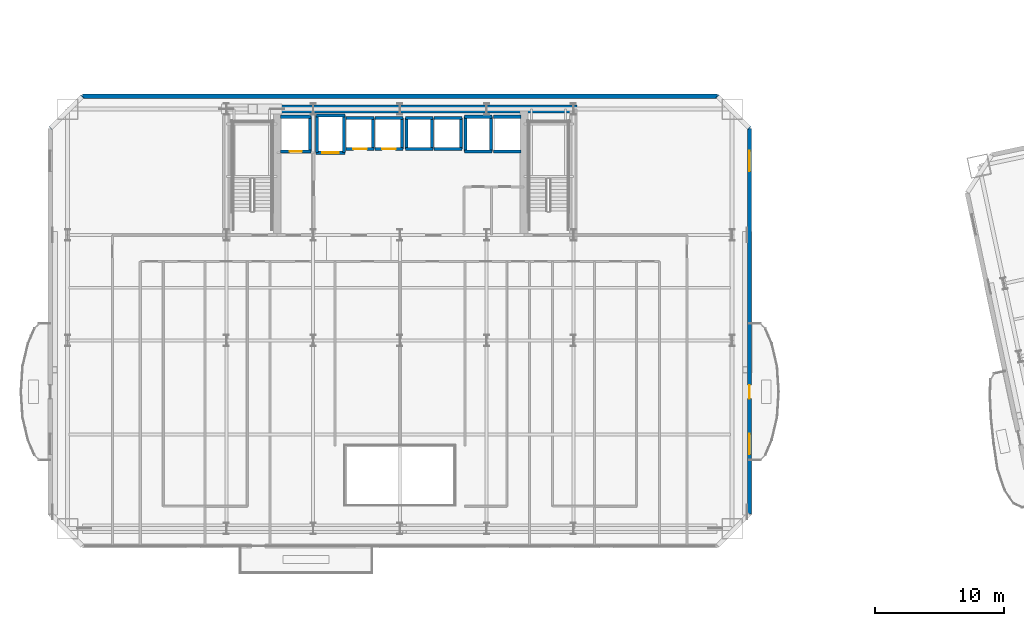
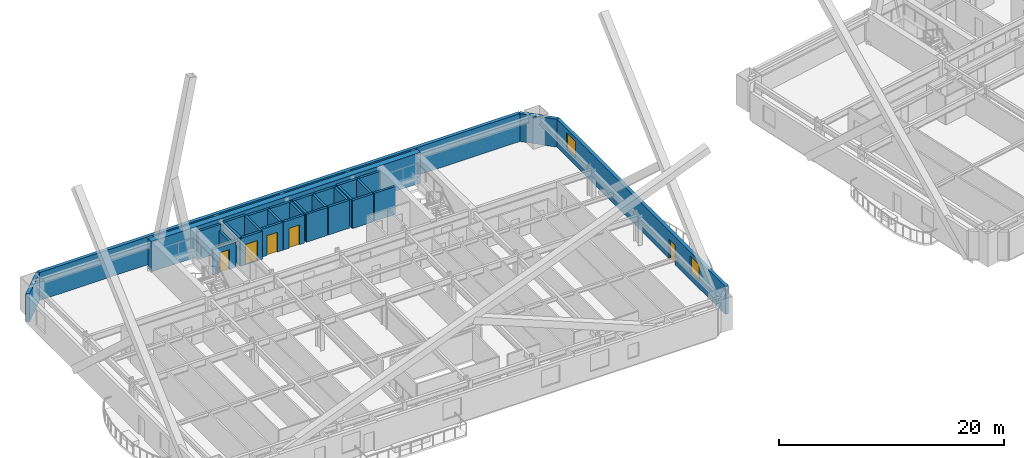
# One storey, part 9 of 20: 31 walls, 5 doors, 2 windows, 7 openings.
"""IFC4 building model written with IfcOpenShell, lengths in metres."""

from ifc_helpers import new_model, si_unit, direction, frame, frame_2d, origin, place, context, subcontext, project, spatial, rectangle, extrude, material, layer, layer_set, type_object, element, fill, save


model = new_model("IFC4")

# Units and contexts
model_context = context("Model", 3, precision=1e-05, world=origin(), true_north=direction((0.0, 1.0)))
body_context = subcontext(model_context, "Body", "Model", "MODEL_VIEW")
ifc_project = project(units=[si_unit("LENGTHUNIT", "METRE"), si_unit("AREAUNIT", "SQUARE_METRE"), si_unit("VOLUMEUNIT", "CUBIC_METRE"), si_unit("PLANEANGLEUNIT", "RADIAN"), si_unit("MASSUNIT", "GRAM", prefix="KILO")], contexts=[model_context])

# Site, building, storey
site_placement = place(None, origin())
site = spatial("IfcSite", under=ifc_project, at=site_placement, CompositionType="ELEMENT")
building_placement = place(site_placement, origin())
building = spatial("IfcBuilding", under=site, at=building_placement, Name="Haevon Station Towers", CompositionType="ELEMENT")
storey_placement = place(building_placement, frame((0.0, 0.0, 30.60009765625)))
storey = spatial("IfcBuildingStorey", under=building, at=storey_placement, Name="L06", CompositionType="ELEMENT", Elevation=30.60009765625)

# Walls
ifc_material_1 = material(Name="Concrete C60/75", Category="concrete")
ifc_layer_1 = layer(ifc_material_1, 0.60009765625)
ifc_layer_set_1 = layer_set([ifc_layer_1], Name="Concrete C60/75")
wall_type_1 = type_object("IfcWallType", Name="WL-CR600", PredefinedType="SHEAR", material=ifc_layer_set_1)
wall_1_placement = place(storey_placement, frame((23.699951171875, 48.0, 0.0), z_axis=(0.0, 0.0, 1.0), x_axis=(1.0, 0.0, 0.0)))
element("IfcWall", 1, at=wall_1_placement, inside=storey, type_object=wall_type_1, Name="WL-T1CR-L06-N", PredefinedType="SHEAR", context=body_context, shape_type="SweptSolid", body=[
    extrude(rectangle(XDim=27.60009765625, YDim=0.60009765625, at=frame_2d((13.800048828125, 0.0))), origin(), (0.0, 0.0, 1.0), 3.2998046875),
])
ifc_material_2 = material(Name="Precast concrete C45/55", Category="concrete")
ifc_layer_2 = layer(ifc_material_2, 0.340087890625)
ifc_layer_set_2 = layer_set([ifc_layer_2], Name="Precast concrete C45/55")
wall_type_2 = type_object("IfcWallType", Name="WL-EXT-PIER340", PredefinedType="SOLIDWALL", material=ifc_layer_set_2)
wall_2_placement = place(storey_placement, frame((10.300048828125, 46.5, 0.0), z_axis=(0.0, 0.0, 1.0), x_axis=(0.707106781187, 0.707106781187, 0.0)))
element("IfcWall", 2, at=wall_2_placement, inside=storey, type_object=wall_type_2, Name="WL-T1-L06-NWC", PredefinedType="SOLIDWALL", context=body_context, shape_type="SweptSolid", body=[
    extrude(rectangle(XDim=3.53564453125, YDim=0.340087890625, at=frame_2d((1.767822265625, 0.0))), origin(), (0.0, 0.0, 1.0), 3.02978515625),
])
wall_3_placement = place(storey_placement, frame((12.800048828125, 49.0, 0.0), z_axis=(0.0, 0.0, 1.0), x_axis=(1.0, 0.0, 0.0)))
element("IfcWall", 3, at=wall_3_placement, inside=storey, type_object=wall_type_2, Name="WL-T1-L06-N", PredefinedType="SOLIDWALL", context=body_context, shape_type="SweptSolid", body=[
    extrude(rectangle(XDim=49.39990234375, YDim=0.340087890625, at=frame_2d((24.699951171875, 0.0))), origin(), (0.0, 0.0, 1.0), 3.02978515625),
])
wall_4_placement = place(storey_placement, frame((62.199951171875, 49.0, 0.0), z_axis=(0.0, 0.0, 1.0), x_axis=(0.707106781187, -0.707106781187, 0.0)))
element("IfcWall", 4, at=wall_4_placement, inside=storey, type_object=wall_type_2, Name="WL-T1-L06-NEC", PredefinedType="SOLIDWALL", context=body_context, shape_type="SweptSolid", body=[
    extrude(rectangle(XDim=3.53564453125, YDim=0.340087890625, at=frame_2d((1.767822265625, 0.0))), origin(), (0.0, 0.0, 1.0), 3.02978515625),
])

# Wall, openings, door, windows
wall_5_placement = place(storey_placement, frame((64.699951171875, 46.5, 0.0), z_axis=(0.0, 0.0, 1.0), x_axis=(0.0, -1.0, 0.0)))
wall_5 = element("IfcWall", 5, at=wall_5_placement, inside=storey, type_object=wall_type_2, Name="WL-T1-L06-E", PredefinedType="SOLIDWALL", context=body_context, shape_type="SweptSolid", body=[
    extrude(rectangle(XDim=30.0, YDim=0.340087890625, at=frame_2d((15.0, 0.0))), origin(), (0.0, 0.0, 1.0), 3.02978515625),
])
opening_1_placement = place(wall_5_placement, frame((19.97509765625, 0.0, 0.0)))
opening_1 = element("IfcOpeningElement", 6, at=opening_1_placement, cuts=wall_5, Name="Opening DR-T1-SCAL-L06-E", PredefinedType="OPENING", context=body_context, shape_type="SweptSolid", body=[
    extrude(rectangle(XDim=1.050048828125, YDim=2.10009765625, at=frame_2d((0.52490234375, 1.050048828125))), frame((0.0, 0.179931640625, 0.0), z_axis=(0.0, -1.0, 0.0), x_axis=(1.0, 0.0, 0.0)), (0.0, 0.0, 1.0), 0.360107421875),
])
opening_2_placement = place(wall_5_placement, frame((1.757080078125, 0.0, 0.800048828125)))
opening_2 = element("IfcOpeningElement", 7, at=opening_2_placement, cuts=wall_5, Name="Opening WN-END160", PredefinedType="OPENING", context=body_context, shape_type="SweptSolid", body=[
    extrude(rectangle(XDim=1.60009765625, YDim=1.800048828125, at=frame_2d((0.800048828125, 0.89990234375))), frame((0.0, 0.179931640625, 0.0), z_axis=(0.0, -1.0, 0.0), x_axis=(1.0, 0.0, 0.0)), (0.0, 0.0, 1.0), 0.360107421875),
])
opening_3_placement = place(wall_5_placement, frame((23.771484375, 0.0, 0.800048828125)))
opening_3 = element("IfcOpeningElement", 8, at=opening_3_placement, cuts=wall_5, Name="Opening WN-END160", PredefinedType="OPENING", context=body_context, shape_type="SweptSolid", body=[
    extrude(rectangle(XDim=1.60009765625, YDim=1.800048828125, at=frame_2d((0.800048828125, 0.89990234375))), frame((0.0, 0.179931640625, 0.0), z_axis=(0.0, -1.0, 0.0), x_axis=(1.0, 0.0, 0.0)), (0.0, 0.0, 1.0), 0.360107421875),
])
ifc_material_3 = material(Name="Thermally broken anodised aluminium and laminated safety glass", Category="aluminium")
door_type_1 = type_object("IfcDoorType", Name="DR-BALC-1050", OperationType="NOTDEFINED", PredefinedType="DOOR", material=ifc_material_3)
door_1_placement = place(opening_1_placement, origin())
door_1 = element("IfcDoor", 9, at=door_1_placement, inside=storey, type_object=door_type_1, Name="Tower 1 L06 East Scalloped Balcony Door", OperationType="SINGLE_SWING_LEFT", OverallHeight=2.10009765625, OverallWidth=1.050048828125, PredefinedType="DOOR", context=body_context, shape_type="SweptSolid", body=[
    extrude(rectangle(XDim=1.050048828125, YDim=2.10009765625, at=frame_2d((0.52490234375, 1.050048828125))), frame((0.0, 0.02490234375, 0.0), z_axis=(0.0, -1.0, 0.0), x_axis=(1.0, 0.0, 0.0)), (0.0, 0.0, 1.0), 0.050048828125),
])
fill(opening_1, door_1)
ifc_material_4 = material(Name="Low-E triple glazing in thermally broken aluminium", Category="aluminium")
window_type = type_object("IfcWindowType", Name="WN-END160", PartitioningType="SINGLE_PANEL", PredefinedType="WINDOW", material=ifc_material_4)
window_1_placement = place(opening_2_placement, origin())
window_1 = element("IfcWindow", 10, at=window_1_placement, inside=storey, type_object=window_type, Name="WN-T1-L06-E01", OverallHeight=1.800048828125, OverallWidth=1.60009765625, PartitioningType="SINGLE_PANEL", PredefinedType="WINDOW", context=body_context, shape_type="SweptSolid", body=[
    extrude(rectangle(XDim=1.60009765625, YDim=1.800048828125, at=frame_2d((0.800048828125, 0.89990234375))), frame((0.0, 0.030029296875, 0.0), z_axis=(0.0, -1.0, 0.0), x_axis=(1.0, 0.0, 0.0)), (0.0, 0.0, 1.0), 0.06005859375),
])
fill(opening_2, window_1)
window_2_placement = place(opening_3_placement, origin())
window_2 = element("IfcWindow", 11, at=window_2_placement, inside=storey, type_object=window_type, Name="WN-T1-L06-E02", OverallHeight=1.800048828125, OverallWidth=1.60009765625, PartitioningType="SINGLE_PANEL", PredefinedType="WINDOW", context=body_context, shape_type="SweptSolid", body=[
    extrude(rectangle(XDim=1.60009765625, YDim=1.800048828125, at=frame_2d((0.800048828125, 0.89990234375))), frame((0.0, 0.030029296875, 0.0), z_axis=(0.0, -1.0, 0.0), x_axis=(1.0, 0.0, 0.0)), (0.0, 0.0, 1.0), 0.06005859375),
])
fill(opening_3, window_2)

# Wall, opening, door
ifc_material_5 = material(Name="Concrete C40/50", Category="concrete")
ifc_layer_3 = layer(ifc_material_5, 0.239990234375)
ifc_layer_set_3 = layer_set([ifc_layer_3], Name="Concrete C40/50")
wall_type_3 = type_object("IfcWallType", Name="WL-SHF240", PredefinedType="PARTITIONING", material=ifc_layer_set_3)
wall_6_placement = place(storey_placement, frame((28.219970703125, 44.699951171875, 0.0), z_axis=(0.0, 0.0, 1.0), x_axis=(1.0, 0.0, 0.0)))
wall_6 = element("IfcWall", 12, at=wall_6_placement, inside=storey, type_object=wall_type_3, Name="WL-SHF-FL1-L06", PredefinedType="PARTITIONING", context=body_context, shape_type="SweptSolid", body=[
    extrude(rectangle(XDim=2.360107421875, YDim=0.239990234375, at=frame_2d((1.18017578125, 0.0))), origin(), (0.0, 0.0, 1.0), 2.72998046875),
])
opening_4_placement = place(wall_6_placement, frame((0.705078125, 0.0, 0.0)))
opening_4 = element("IfcOpeningElement", 13, at=opening_4_placement, cuts=wall_6, Name="Opening LD-FL1-L06", PredefinedType="OPENING", context=body_context, shape_type="SweptSolid", body=[
    extrude(rectangle(XDim=0.949951171875, YDim=2.14990234375, at=frame_2d((0.47509765625, 1.074951171875))), frame((0.0, 0.1298828125, 0.0), z_axis=(0.0, -1.0, 0.0), x_axis=(1.0, 0.0, 0.0)), (0.0, 0.0, 1.0), 0.260009765625),
])
ifc_material_6 = material(Name="Stainless steel and rated core", Category="steel")
door_type_2 = type_object("IfcDoorType", Name="LD-FL950", OperationType="SLIDING_TO_LEFT", PredefinedType="DOOR", material=ifc_material_6)
door_2_placement = place(opening_4_placement, origin())
door_2 = element("IfcDoor", 14, at=door_2_placement, inside=storey, type_object=door_type_2, Name="L06 Lift FL1 Sliding Landing Door", OperationType="SLIDING_TO_LEFT", OverallHeight=2.14990234375, OverallWidth=0.949951171875, PredefinedType="DOOR", context=body_context, shape_type="SweptSolid", body=[
    extrude(rectangle(XDim=0.949951171875, YDim=2.14990234375, at=frame_2d((0.47509765625, 1.074951171875))), frame((0.0, 0.02490234375, 0.0), z_axis=(0.0, -1.0, 0.0), x_axis=(1.0, 0.0, 0.0)), (0.0, 0.0, 1.0), 0.050048828125),
])
fill(opening_4, door_2)

# Walls
wall_7_placement = place(storey_placement, frame((28.219970703125, 47.39990234375, 0.0), z_axis=(0.0, 0.0, 1.0), x_axis=(1.0, 0.0, 0.0)))
element("IfcWall", 15, at=wall_7_placement, inside=storey, type_object=wall_type_3, Name="WL-SHF-FL1-L06-N", PredefinedType="PARTITIONING", context=body_context, shape_type="SweptSolid", body=[
    extrude(rectangle(XDim=2.360107421875, YDim=0.239990234375, at=frame_2d((1.18017578125, 0.0))), origin(), (0.0, 0.0, 1.0), 3.02978515625),
])
wall_8_placement = place(storey_placement, frame((30.5, 44.699951171875, 0.0), z_axis=(0.0, 0.0, 1.0), x_axis=(0.0, 1.0, 0.0)))
element("IfcWall", 16, at=wall_8_placement, inside=storey, type_object=wall_type_3, Name="WL-SHF-FL1-L06-E", PredefinedType="PARTITIONING", context=body_context, shape_type="SweptSolid", body=[
    extrude(rectangle(XDim=2.699951171875, YDim=0.239990234375, at=frame_2d((1.35009765625, 0.0))), origin(), (0.0, 0.0, 1.0), 2.329833984375),
])

# Wall, opening, door
wall_9_placement = place(storey_placement, frame((30.969970703125, 44.60009765625, 0.0), z_axis=(0.0, 0.0, 1.0), x_axis=(1.0, 0.0, 0.0)))
wall_9 = element("IfcWall", 17, at=wall_9_placement, inside=storey, type_object=wall_type_3, Name="WL-SHF-SL1-L06", PredefinedType="PARTITIONING", context=body_context, shape_type="SweptSolid", body=[
    extrude(rectangle(XDim=2.260009765625, YDim=0.239990234375, at=frame_2d((1.1298828125, 0.0))), origin(), (0.0, 0.0, 1.0), 3.02978515625),
])
opening_5_placement = place(wall_9_placement, frame((0.5048828125, 0.0, 0.0)))
opening_5 = element("IfcOpeningElement", 18, at=opening_5_placement, cuts=wall_9, Name="Opening LD-SL1-L06", PredefinedType="OPENING", context=body_context, shape_type="SweptSolid", body=[
    extrude(rectangle(XDim=1.25, YDim=2.199951171875, at=frame_2d((0.625, 1.10009765625))), frame((0.0, 0.1298828125, 0.0), z_axis=(0.0, -1.0, 0.0), x_axis=(1.0, 0.0, 0.0)), (0.0, 0.0, 1.0), 0.260009765625),
])
door_type_3 = type_object("IfcDoorType", Name="LD-SL1250", OperationType="SLIDING_TO_LEFT", PredefinedType="DOOR", material=ifc_material_6)
door_3_placement = place(opening_5_placement, origin())
door_3 = element("IfcDoor", 19, at=door_3_placement, inside=storey, type_object=door_type_3, Name="L06 Lift SL1 Sliding Landing Door", OperationType="SLIDING_TO_LEFT", OverallHeight=2.199951171875, OverallWidth=1.25, PredefinedType="DOOR", context=body_context, shape_type="SweptSolid", body=[
    extrude(rectangle(XDim=1.25, YDim=2.199951171875, at=frame_2d((0.625, 1.10009765625))), frame((0.0, 0.02490234375, 0.0), z_axis=(0.0, -1.0, 0.0), x_axis=(1.0, 0.0, 0.0)), (0.0, 0.0, 1.0), 0.050048828125),
])
fill(opening_5, door_3)

# Walls
wall_10_placement = place(storey_placement, frame((30.969970703125, 47.5, 0.0), z_axis=(0.0, 0.0, 1.0), x_axis=(1.0, 0.0, 0.0)))
element("IfcWall", 20, at=wall_10_placement, inside=storey, type_object=wall_type_3, Name="WL-SHF-SL1-L06-N", PredefinedType="PARTITIONING", context=body_context, shape_type="SweptSolid", body=[
    extrude(rectangle(XDim=2.260009765625, YDim=0.239990234375, at=frame_2d((1.1298828125, 0.0))), origin(), (0.0, 0.0, 1.0), 3.02978515625),
])
for number, where, z_axis, x_axis, name in (
    (21, (31.050048828125, 44.60009765625, 0.0), (0.0, 0.0, 1.0), (0.0, 1.0, 0.0), "WL-SHF-SL1-L06-W"),
    (22, (33.14990234375, 44.60009765625, 0.0), (0.0, 0.0, 1.0), (0.0, 1.0, 0.0), "WL-SHF-SL1-L06-E"),
):
    element("IfcWall", number, at=place(storey_placement, frame(where, z_axis=z_axis, x_axis=x_axis)), inside=storey, type_object=wall_type_3, Name=name, PredefinedType="PARTITIONING", context=body_context, shape_type="SweptSolid", body=[
        extrude(rectangle(XDim=2.89990234375, YDim=0.239990234375, at=frame_2d((1.449951171875, 0.0))), origin(), (0.0, 0.0, 1.0), 3.02978515625),
    ])

# Wall, opening, door
wall_11_placement = place(storey_placement, frame((33.320068359375, 44.89990234375, 0.0), z_axis=(0.0, 0.0, 1.0), x_axis=(1.0, 0.0, 0.0)))
wall_11 = element("IfcWall", 23, at=wall_11_placement, inside=storey, type_object=wall_type_3, Name="WL-SHF-PL1-L06", PredefinedType="PARTITIONING", context=body_context, shape_type="SweptSolid", body=[
    extrude(rectangle(XDim=2.159912109375, YDim=0.239990234375, at=frame_2d((1.080078125, 0.0))), origin(), (0.0, 0.0, 1.0), 3.02978515625),
])
opening_6_placement = place(wall_11_placement, frame((0.554931640625, 0.0, 0.0)))
opening_6 = element("IfcOpeningElement", 24, at=opening_6_placement, cuts=wall_11, Name="Opening LD-PL1-L06", PredefinedType="OPENING", context=body_context, shape_type="SweptSolid", body=[
    extrude(rectangle(XDim=1.050048828125, YDim=2.14990234375, at=frame_2d((0.52490234375, 1.074951171875))), frame((0.0, 0.1298828125, 0.0), z_axis=(0.0, -1.0, 0.0), x_axis=(1.0, 0.0, 0.0)), (0.0, 0.0, 1.0), 0.260009765625),
])
door_type_4 = type_object("IfcDoorType", Name="LD-PL1050", OperationType="SLIDING_TO_LEFT", PredefinedType="DOOR", material=ifc_material_6)
door_4_placement = place(opening_6_placement, origin())
door_4 = element("IfcDoor", 25, at=door_4_placement, inside=storey, type_object=door_type_4, Name="L06 Lift PL1 Sliding Landing Door", OperationType="SLIDING_TO_LEFT", OverallHeight=2.14990234375, OverallWidth=1.050048828125, PredefinedType="DOOR", context=body_context, shape_type="SweptSolid", body=[
    extrude(rectangle(XDim=1.050048828125, YDim=2.14990234375, at=frame_2d((0.52490234375, 1.074951171875))), frame((0.0, 0.02490234375, 0.0), z_axis=(0.0, -1.0, 0.0), x_axis=(1.0, 0.0, 0.0)), (0.0, 0.0, 1.0), 0.050048828125),
])
fill(opening_6, door_4)

# Walls
wall_12_placement = place(storey_placement, frame((33.320068359375, 47.300048828125, 0.0), z_axis=(0.0, 0.0, 1.0), x_axis=(1.0, 0.0, 0.0)))
element("IfcWall", 26, at=wall_12_placement, inside=storey, type_object=wall_type_3, Name="WL-SHF-PL1-L06-N", PredefinedType="PARTITIONING", context=body_context, shape_type="SweptSolid", body=[
    extrude(rectangle(XDim=2.159912109375, YDim=0.239990234375, at=frame_2d((1.080078125, 0.0))), origin(), (0.0, 0.0, 1.0), 3.02978515625),
])
wall_13_placement = place(storey_placement, frame((35.39990234375, 44.89990234375, 0.0), z_axis=(0.0, 0.0, 1.0), x_axis=(0.0, 1.0, 0.0)))
element("IfcWall", 27, at=wall_13_placement, inside=storey, type_object=wall_type_3, Name="WL-SHF-PL1-L06-E", PredefinedType="PARTITIONING", context=body_context, shape_type="SweptSolid", body=[
    extrude(rectangle(XDim=2.400146484375, YDim=0.239990234375, at=frame_2d((1.2001953125, 0.0))), origin(), (0.0, 0.0, 1.0), 3.02978515625),
])

# Wall, opening, door
wall_14_placement = place(storey_placement, frame((35.570068359375, 44.89990234375, 0.0), z_axis=(0.0, 0.0, 1.0), x_axis=(1.0, 0.0, 0.0)))
wall_14 = element("IfcWall", 28, at=wall_14_placement, inside=storey, type_object=wall_type_3, Name="WL-SHF-PL2-L06", PredefinedType="PARTITIONING", context=body_context, shape_type="SweptSolid", body=[
    extrude(rectangle(XDim=2.159912109375, YDim=0.239990234375, at=frame_2d((1.080078125, 0.0))), origin(), (0.0, 0.0, 1.0), 3.02978515625),
])
opening_7_placement = place(wall_14_placement, frame((0.554931640625, 0.0, 0.0)))
opening_7 = element("IfcOpeningElement", 29, at=opening_7_placement, cuts=wall_14, Name="Opening LD-PL2-L06", PredefinedType="OPENING", context=body_context, shape_type="SweptSolid", body=[
    extrude(rectangle(XDim=1.050048828125, YDim=2.14990234375, at=frame_2d((0.52490234375, 1.074951171875))), frame((0.0, 0.1298828125, 0.0), z_axis=(0.0, -1.0, 0.0), x_axis=(1.0, 0.0, 0.0)), (0.0, 0.0, 1.0), 0.260009765625),
])
door_5_placement = place(opening_7_placement, origin())
door_5 = element("IfcDoor", 30, at=door_5_placement, inside=storey, type_object=door_type_4, Name="L06 Lift PL2 Sliding Landing Door", OperationType="SLIDING_TO_LEFT", OverallHeight=2.14990234375, OverallWidth=1.050048828125, PredefinedType="DOOR", context=body_context, shape_type="SweptSolid", body=[
    extrude(rectangle(XDim=1.050048828125, YDim=2.14990234375, at=frame_2d((0.52490234375, 1.074951171875))), frame((0.0, 0.02490234375, 0.0), z_axis=(0.0, -1.0, 0.0), x_axis=(1.0, 0.0, 0.0)), (0.0, 0.0, 1.0), 0.050048828125),
])
fill(opening_7, door_5)

# Walls
wall_15_placement = place(storey_placement, frame((35.570068359375, 47.300048828125, 0.0), z_axis=(0.0, 0.0, 1.0), x_axis=(1.0, 0.0, 0.0)))
element("IfcWall", 31, at=wall_15_placement, inside=storey, type_object=wall_type_3, Name="WL-SHF-PL2-L06-N", PredefinedType="PARTITIONING", context=body_context, shape_type="SweptSolid", body=[
    extrude(rectangle(XDim=2.159912109375, YDim=0.239990234375, at=frame_2d((1.080078125, 0.0))), origin(), (0.0, 0.0, 1.0), 3.02978515625),
])
wall_16_placement = place(storey_placement, frame((37.64990234375, 44.89990234375, 0.0), z_axis=(0.0, 0.0, 1.0), x_axis=(0.0, 1.0, 0.0)))
element("IfcWall", 32, at=wall_16_placement, inside=storey, type_object=wall_type_3, Name="WL-SHF-PL2-L06-E", PredefinedType="PARTITIONING", context=body_context, shape_type="SweptSolid", body=[
    extrude(rectangle(XDim=2.400146484375, YDim=0.239990234375, at=frame_2d((1.2001953125, 0.0))), origin(), (0.0, 0.0, 1.0), 3.02978515625),
])
for number, where, z_axis, x_axis, name in (
    (33, (37.919921875, 44.89990234375, 0.0), (0.0, 0.0, 1.0), (1.0, 0.0, 0.0), "WL-SHF-PL3-L06"),
    (34, (37.919921875, 47.300048828125, 0.0), (0.0, 0.0, 1.0), (1.0, 0.0, 0.0), "WL-SHF-PL3-L06-N"),
):
    element("IfcWall", number, at=place(storey_placement, frame(where, z_axis=z_axis, x_axis=x_axis)), inside=storey, type_object=wall_type_3, Name=name, PredefinedType="PARTITIONING", context=body_context, shape_type="SweptSolid", body=[
        extrude(rectangle(XDim=2.16015625, YDim=0.239990234375, at=frame_2d((1.080078125, 0.0))), origin(), (0.0, 0.0, 1.0), 3.02978515625),
    ])
for number, where, z_axis, x_axis, name in (
    (35, (38.0, 44.89990234375, 0.0), (0.0, 0.0, 1.0), (0.0, 1.0, 0.0), "WL-SHF-PL3-L06-W"),
    (36, (40.0, 44.89990234375, 0.0), (0.0, 0.0, 1.0), (0.0, 1.0, 0.0), "WL-SHF-PL3-L06-E"),
):
    element("IfcWall", number, at=place(storey_placement, frame(where, z_axis=z_axis, x_axis=x_axis)), inside=storey, type_object=wall_type_3, Name=name, PredefinedType="PARTITIONING", context=body_context, shape_type="SweptSolid", body=[
        extrude(rectangle(XDim=2.400146484375, YDim=0.239990234375, at=frame_2d((1.2001953125, 0.0))), origin(), (0.0, 0.0, 1.0), 3.02978515625),
    ])
for number, where, z_axis, x_axis, name in (
    (37, (40.169921875, 44.89990234375, 0.0), (0.0, 0.0, 1.0), (1.0, 0.0, 0.0), "WL-SHF-PL4-L06"),
    (38, (40.169921875, 47.300048828125, 0.0), (0.0, 0.0, 1.0), (1.0, 0.0, 0.0), "WL-SHF-PL4-L06-N"),
):
    element("IfcWall", number, at=place(storey_placement, frame(where, z_axis=z_axis, x_axis=x_axis)), inside=storey, type_object=wall_type_3, Name=name, PredefinedType="PARTITIONING", context=body_context, shape_type="SweptSolid", body=[
        extrude(rectangle(XDim=2.16015625, YDim=0.239990234375, at=frame_2d((1.080078125, 0.0))), origin(), (0.0, 0.0, 1.0), 3.02978515625),
    ])
wall_17_placement = place(storey_placement, frame((42.25, 44.89990234375, 0.0), z_axis=(0.0, 0.0, 1.0), x_axis=(0.0, 1.0, 0.0)))
element("IfcWall", 39, at=wall_17_placement, inside=storey, type_object=wall_type_3, Name="WL-SHF-PL4-L06-E", PredefinedType="PARTITIONING", context=body_context, shape_type="SweptSolid", body=[
    extrude(rectangle(XDim=2.400146484375, YDim=0.239990234375, at=frame_2d((1.2001953125, 0.0))), origin(), (0.0, 0.0, 1.0), 3.02978515625),
])
for number, where, z_axis, x_axis, name in (
    (40, (42.52001953125, 44.699951171875, 0.0), (0.0, 0.0, 1.0), (1.0, 0.0, 0.0), "WL-SHF-PL5-L06"),
    (41, (42.52001953125, 47.39990234375, 0.0), (0.0, 0.0, 1.0), (1.0, 0.0, 0.0), "WL-SHF-PL5-L06-N"),
):
    element("IfcWall", number, at=place(storey_placement, frame(where, z_axis=z_axis, x_axis=x_axis)), inside=storey, type_object=wall_type_3, Name=name, PredefinedType="PARTITIONING", context=body_context, shape_type="SweptSolid", body=[
        extrude(rectangle(XDim=2.159912109375, YDim=0.239990234375, at=frame_2d((1.080078125, 0.0))), origin(), (0.0, 0.0, 1.0), 3.02978515625),
    ])
for number, where, z_axis, x_axis, name in (
    (42, (42.60009765625, 44.699951171875, 0.0), (0.0, 0.0, 1.0), (0.0, 1.0, 0.0), "WL-SHF-PL5-L06-W"),
    (43, (44.60009765625, 44.699951171875, 0.0), (0.0, 0.0, 1.0), (0.0, 1.0, 0.0), "WL-SHF-PL5-L06-E"),
):
    element("IfcWall", number, at=place(storey_placement, frame(where, z_axis=z_axis, x_axis=x_axis)), inside=storey, type_object=wall_type_3, Name=name, PredefinedType="PARTITIONING", context=body_context, shape_type="SweptSolid", body=[
        extrude(rectangle(XDim=2.699951171875, YDim=0.239990234375, at=frame_2d((1.35009765625, 0.0))), origin(), (0.0, 0.0, 1.0), 3.02978515625),
    ])
for number, where, z_axis, x_axis, name in (
    (44, (44.77001953125, 44.699951171875, 0.0), (0.0, 0.0, 1.0), (1.0, 0.0, 0.0), "WL-SHF-PL6-L06"),
    (45, (44.77001953125, 47.39990234375, 0.0), (0.0, 0.0, 1.0), (1.0, 0.0, 0.0), "WL-SHF-PL6-L06-N"),
):
    element("IfcWall", number, at=place(storey_placement, frame(where, z_axis=z_axis, x_axis=x_axis)), inside=storey, type_object=wall_type_3, Name=name, PredefinedType="PARTITIONING", context=body_context, shape_type="SweptSolid", body=[
        extrude(rectangle(XDim=2.159912109375, YDim=0.239990234375, at=frame_2d((1.080078125, 0.0))), origin(), (0.0, 0.0, 1.0), 3.02978515625),
    ])

save(model, "model.ifc")
